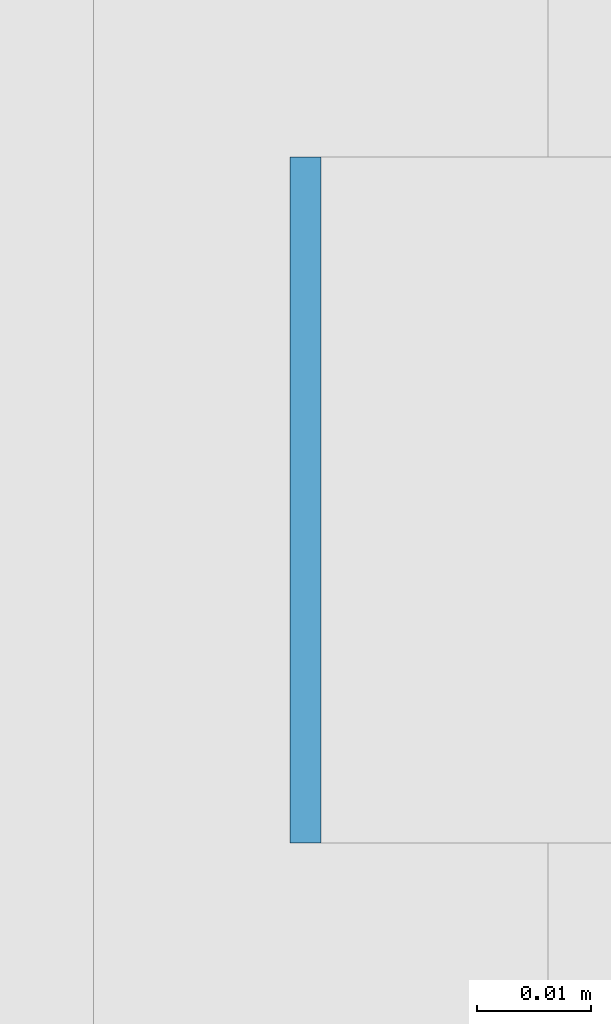
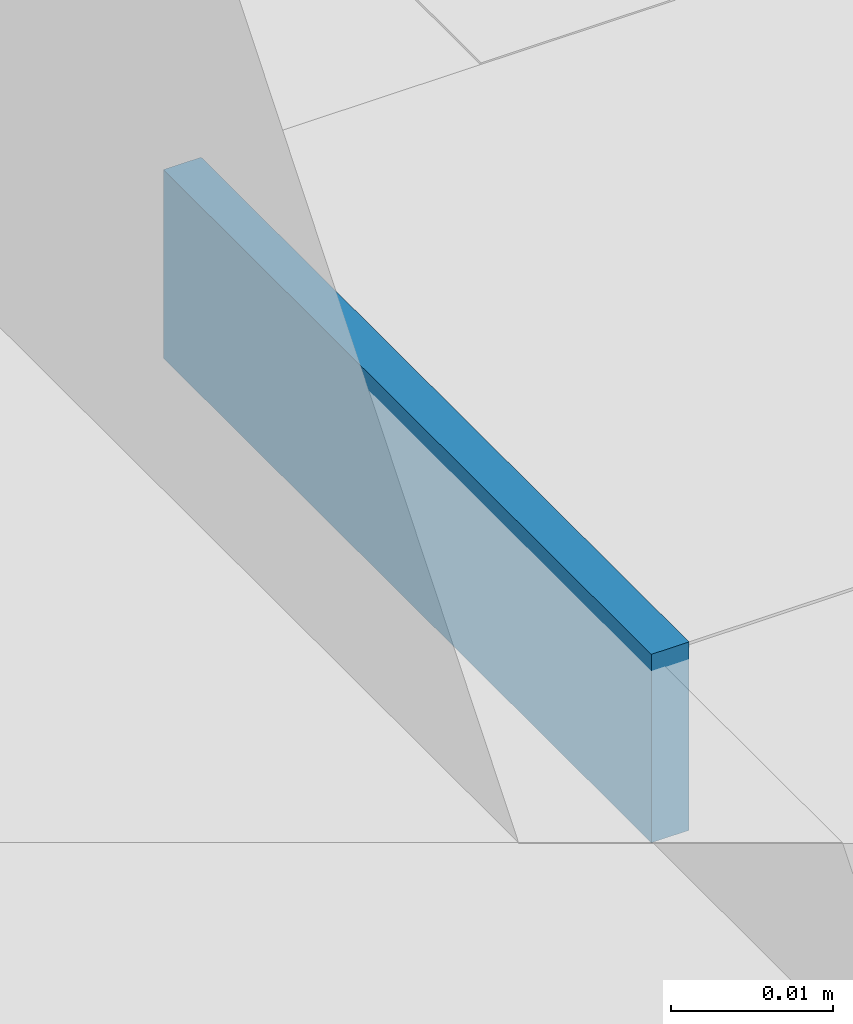
# One storey, part 441 of 646: 1 discrete accessory.
"""IFC4 building model written with IfcOpenShell, lengths in metres."""

from ifc_helpers import new_model, si_unit, direction, frame, origin, origin_2d, place, context, subcontext, project, spatial, rectangle, extrude, material, type_object, element, save


model = new_model("IFC4")

# Units and contexts
model_context = context("Model", 3, precision=1e-05, world=origin(), true_north=direction((0.0, 1.0)))
body_context = subcontext(model_context, "Body", "Model", "MODEL_VIEW")
ifc_project = project(units=[si_unit("LENGTHUNIT", "METRE"), si_unit("AREAUNIT", "SQUARE_METRE"), si_unit("VOLUMEUNIT", "CUBIC_METRE"), si_unit("PLANEANGLEUNIT", "RADIAN"), si_unit("MASSUNIT", "GRAM", prefix="KILO")], contexts=[model_context])

# Site, building, storey
site_placement = place(None, origin())
site = spatial("IfcSite", under=ifc_project, at=site_placement, CompositionType="ELEMENT")
building_placement = place(site_placement, origin())
building = spatial("IfcBuilding", under=site, at=building_placement, Name="Silverbay Arena", CompositionType="ELEMENT")
storey_placement = place(building_placement, frame((0.0, 0.0, 33.5)))
storey = spatial("IfcBuildingStorey", under=building, at=storey_placement, Name="L05", CompositionType="ELEMENT", Elevation=33.5)

# Discrete accessory
ifc_material = material(Name="Steel S355", Category="steel")
discrete_accessory_type = type_object("IfcDiscreteAccessoryType", Name="Steel bracket plate", PredefinedType="BRACKET", material=ifc_material)
discrete_accessory_placement = place(storey_placement, frame((207.128662109375, 34.566650390625, 12.98583984375), z_axis=(0.0, 0.0, 1.0), x_axis=(1.0, 0.0, 0.0)))
element("IfcDiscreteAccessory", 1, at=discrete_accessory_placement, inside=storey, type_object=discrete_accessory_type, Name="Curtain wall packing plate", PredefinedType="BRACKET", context=body_context, shape_type="SweptSolid", body=[
    extrude(rectangle(XDim=0.002685546875, YDim=0.06005859375, at=origin_2d()), origin(), (0.0, 0.0, 1.0), 0.01416015625),
])

save(model, "model.ifc")
